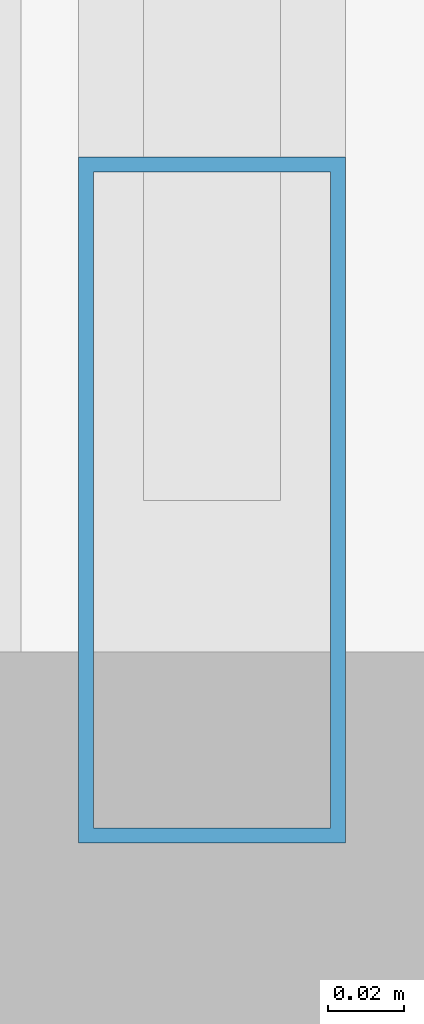
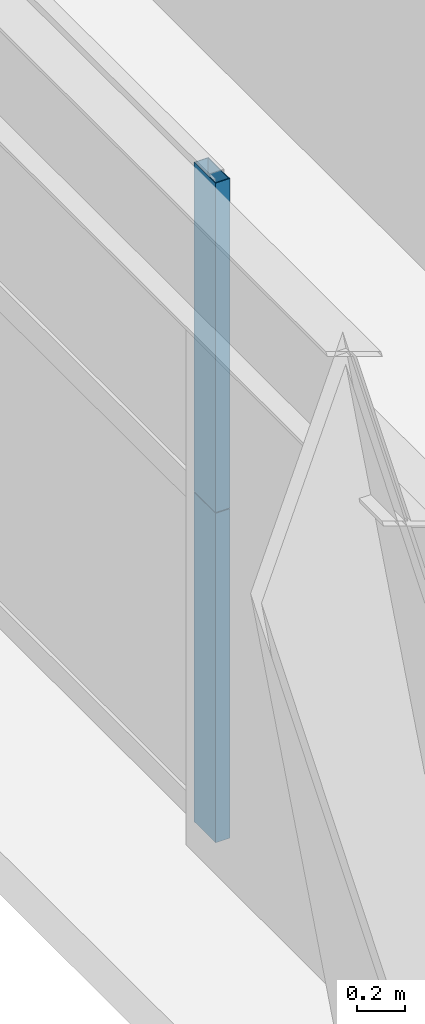
# One storey, part 6 of 43: 2 members, 1 element without a shape of its own.
"""IFC4 building model written with IfcOpenShell, lengths in metres."""

from ifc_helpers import new_model, si_unit, direction, frame, origin, origin_2d, place, context, subcontext, project, spatial, hollow_rectangle, extrude, source, transform, mapped, material, layer, layer_set, material_profile, profile_set, type_object, element, aggregate, save


model = new_model("IFC4")

# Units and contexts
model_context = context("Model", 3, precision=1e-05, world=origin(), true_north=direction((0.0, 1.0)))
body_context = subcontext(model_context, "Body", "Model", "MODEL_VIEW")
ifc_project = project(units=[si_unit("LENGTHUNIT", "METRE"), si_unit("AREAUNIT", "SQUARE_METRE"), si_unit("VOLUMEUNIT", "CUBIC_METRE"), si_unit("PLANEANGLEUNIT", "RADIAN"), si_unit("MASSUNIT", "GRAM", prefix="KILO"), si_unit("THERMODYNAMICTEMPERATUREUNIT", "KELVIN"), si_unit("POWERUNIT", "WATT")], contexts=[model_context])

# Site, building, storey
site_placement = place(None, origin())
site = spatial("IfcSite", under=ifc_project, at=site_placement, CompositionType="ELEMENT")
building_placement = place(site_placement, origin())
building = spatial("IfcBuilding", under=site, at=building_placement, Name="Yuzanri Waterfront Tower", CompositionType="ELEMENT")
storey_placement = place(building_placement, frame((0.0, 0.0, 93.800048828125)))
storey = spatial("IfcBuildingStorey", under=building, at=storey_placement, Name="L24", CompositionType="ELEMENT", Elevation=93.800048828125)

# Curtain wall, members
ifc_material_1 = material(Name="Anodized Architectural Bronze", Category="metal")
ifc_layer = layer(ifc_material_1, 0.159912109375)
ifc_layer_set = layer_set([ifc_layer], Name="Anodized Architectural Bronze")
curtain_wall_type = type_object("IfcCurtainWallType", Name="Anodized Bronze Hotel Upper-Tier Solar-Control Unitized Curtain Wall 7800", PredefinedType="NOTDEFINED", material=ifc_layer_set)
curtain_wall_placement = place(storey_placement, origin())
curtain_wall = element("IfcCurtainWall", 1, at=curtain_wall_placement, inside=storey, type_object=curtain_wall_type, Name="L24 Curtain Wall CW-L24-WL", PredefinedType="NOTDEFINED")
ifc_material_2 = material(Name="Anodized Architectural Bronze", Category="metal")
ifc_material_profile = material_profile(ifc_material_2, hollow_rectangle(XDim=0.070068359375, YDim=0.179931640625, WallThickness=0.00390625, at=origin_2d()), Name="CWM 70x180")
ifc_profile_set = profile_set([ifc_material_profile], Name="Anodized Architectural Bronze")
member_type = type_object("IfcMemberType", Name="Anodized Bronze Standard Curtain-Wall Mullion 70x180", PredefinedType="MULLION", material=ifc_profile_set)
shared_shape = source(origin(), body_context, "Body", "SweptSolid", [
    extrude(hollow_rectangle(XDim=0.070068359375, YDim=0.179931640625, WallThickness=0.00390625, at=origin_2d()), origin(), (0.0, 0.0, 1.0), 1.68798828125),
])
member_1_placement = place(storey_placement, frame((13.550048828125, 9.590087890625, 0.0), z_axis=(0.0, 0.0, 1.0), x_axis=(1.0, 0.0, 0.0)))
member_1 = element("IfcMember", 2, at=member_1_placement, type_object=member_type, Name="CW-L24-WL Lower Mullion 00", PredefinedType="MULLION", context=body_context, shape_type="MappedRepresentation", body=[
    mapped(shared_shape, transform((0.0, 0.0, 0.0), scale=1.0)),
])
member_2_placement = place(storey_placement, frame((13.550048828125, 9.590087890625, 1.69189453125), z_axis=(0.0, 0.0, 1.0), x_axis=(1.0, 0.0, 0.0)))
member_2 = element("IfcMember", 3, at=member_2_placement, type_object=member_type, Name="CW-L24-WL Upper Mullion 00", PredefinedType="MULLION", context=body_context, shape_type="MappedRepresentation", body=[
    mapped(shared_shape, transform((0.0, 0.0, 0.0), scale=1.0)),
])
aggregate(curtain_wall, [member_1, member_2])

save(model, "model.ifc")
